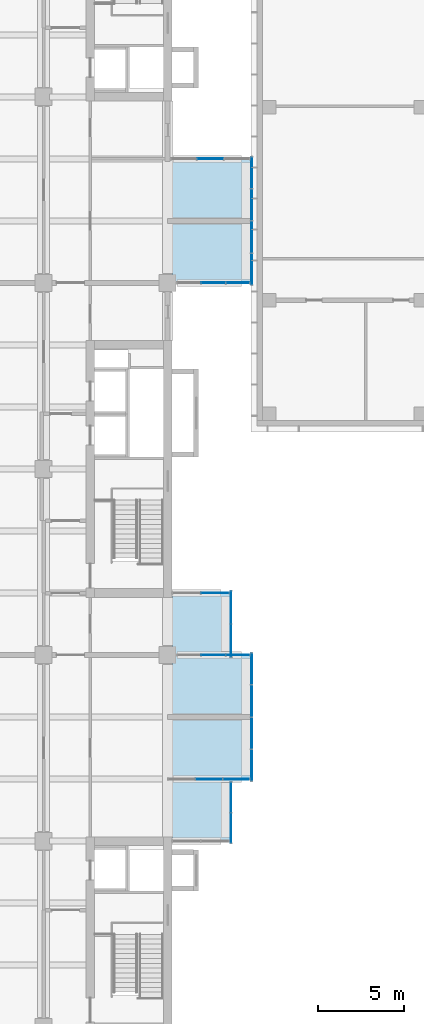
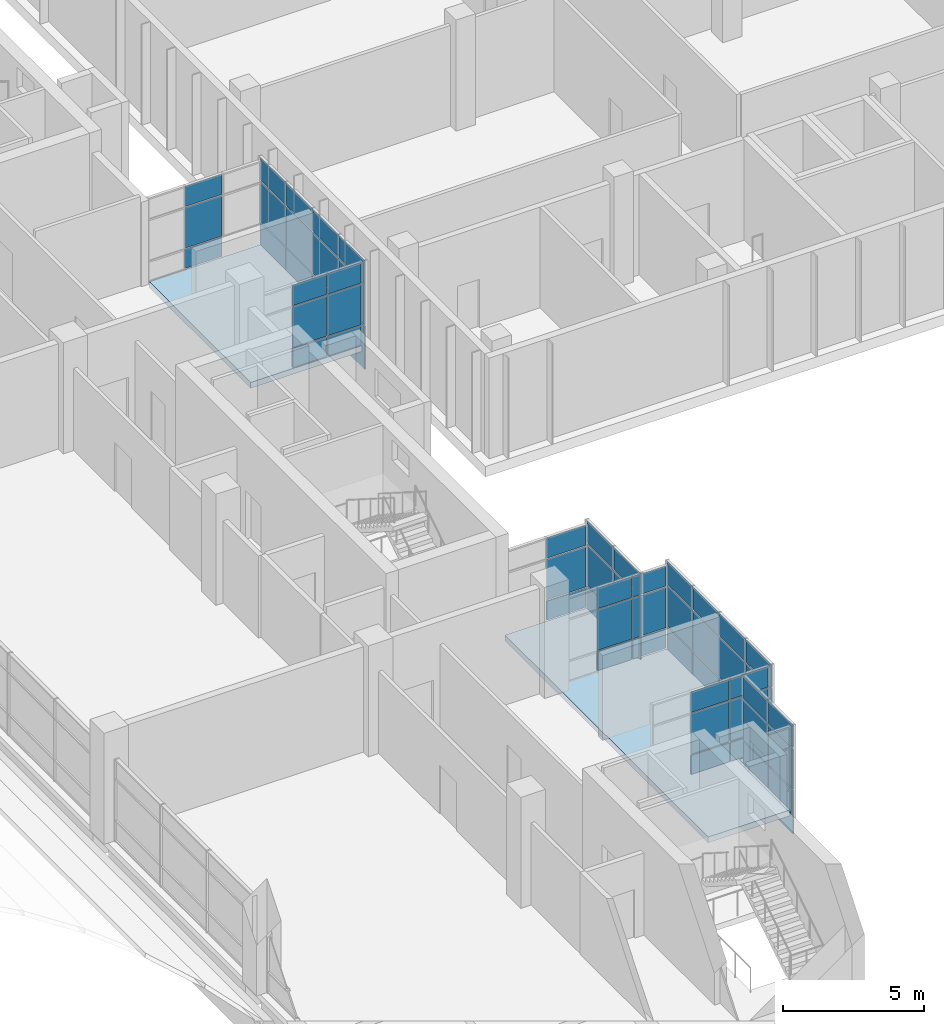
# One storey, part 28 of 45: 60 plates, 2 slabs, 9 elements without a shape of their own.
"""IFC4 building model written with IfcOpenShell, lengths in metres."""

import ifcopenshell
import ifcopenshell.guid

model = None  # the IFC model being written
_history = None  # IfcOwnerHistory: only IFC2X3 demands one
_inside = {}  # id of a spatial element -> (the spatial element, [elements in it])
_under = {}  # id of a project, library or spatial element -> (it, [spatial elements below it])
_declared = {}  # id of a project -> (the project, [libraries it declares])
_typed = {}  # id of a type object -> (the type object, [elements of that type])
_made_of = {}  # id of a material, layer set ... -> (it, [elements and type objects made of it])


def new_model(schema):
    """Start an empty IFC model of exactly this schema.

    Asked for "IFC4X3", IfcOpenShell would pick the latest addendum, in which some entities
    have other attributes; the version numbers below select the first issue.
    IFC2X3 requires an IfcOwnerHistory on every rooted entity: one is made here for all.
    """
    global model, _history
    if schema == "IFC4X3":
        model = ifcopenshell.file(schema_version=(4, 3, 0, 0))
    else:
        model = ifcopenshell.file(schema=schema)
    _inside.clear()
    _under.clear()
    _declared.clear()
    _typed.clear()
    _made_of.clear()
    _history = None
    if model.schema == "IFC2X3":
        org = make("IfcOrganization", Name="unknown")
        user = make(
            "IfcPersonAndOrganization",
            ThePerson=make("IfcPerson", FamilyName="unknown"),
            TheOrganization=org,
        )
        app = make(
            "IfcApplication",
            ApplicationDeveloper=org,
            Version="unknown",
            ApplicationFullName="unknown",
            ApplicationIdentifier="unknown",
        )
        _history = make(
            "IfcOwnerHistory",
            OwningUser=user,
            OwningApplication=app,
            ChangeAction="ADDED",
            CreationDate=0,
        )
    return model


def make(cls, **values):
    """One entity of the class cls with the attributes given. An attribute that is None is left unset."""
    return model.create_entity(
        cls, **{name: value for name, value in values.items() if value is not None}
    )


def rooted(cls, **values):
    """An entity with a GlobalId (a new one), such as an element, a storey or a relation."""
    return make(cls, GlobalId=ifcopenshell.guid.new(), OwnerHistory=_history, **values)


def si_unit(unit_type, name, prefix=None):
    """IfcSIUnit, for example si_unit("LENGTHUNIT", "METRE", prefix="MILLI")."""
    return make("IfcSIUnit", UnitType=unit_type, Prefix=prefix, Name=name)


def assignment(units):
    """IfcUnitAssignment: the units of a project."""
    return None if units is None else make("IfcUnitAssignment", Units=units)


def point(xyz):
    """IfcCartesianPoint."""
    return None if xyz is None else make("IfcCartesianPoint", Coordinates=xyz)


def direction(xyz):
    """IfcDirection."""
    return None if xyz is None else make("IfcDirection", DirectionRatios=xyz)


def frame(location, z_axis=None, x_axis=None):
    """IfcAxis2Placement3D, a coordinate frame: its origin and axes. An axis left out is left unset."""
    return make(
        "IfcAxis2Placement3D",
        Location=point(location),
        Axis=direction(z_axis),
        RefDirection=direction(x_axis),
    )


def frame_2d(location, x_axis=None):
    """IfcAxis2Placement2D, a coordinate frame in the plane: its origin and x axis."""
    return make(
        "IfcAxis2Placement2D", Location=point(location), RefDirection=direction(x_axis)
    )


def origin():
    """The frame at (0, 0, 0) with its axes left unset."""
    return frame((0.0, 0.0, 0.0))


def origin_2d():
    """The frame at (0, 0) in the plane with its x axis left unset."""
    return frame_2d((0.0, 0.0))


def place(relative_to, where):
    """IfcLocalPlacement: puts the frame where relative to a parent placement (None: the world)."""
    return make(
        "IfcLocalPlacement", PlacementRelTo=relative_to, RelativePlacement=where
    )


def context(
    kind, dimensions, precision=None, world=None, true_north=None, identifier=None
):
    """IfcGeometricRepresentationContext, for example the 3D "Model" context."""
    return make(
        "IfcGeometricRepresentationContext",
        ContextIdentifier=identifier,
        ContextType=kind,
        CoordinateSpaceDimension=dimensions,
        Precision=precision,
        WorldCoordinateSystem=world,
        TrueNorth=true_north,
    )


def subcontext(parent, identifier, kind, view, scale=None):
    """IfcGeometricRepresentationSubContext, for example "Body" below "Model"."""
    return make(
        "IfcGeometricRepresentationSubContext",
        ContextIdentifier=identifier,
        ContextType=kind,
        ParentContext=parent,
        TargetScale=scale,
        TargetView=view,
    )


def project(units=None, contexts=None):
    """IfcProject with its units and contexts."""
    return rooted(
        "IfcProject",
        Name="project",
        RepresentationContexts=contexts,
        UnitsInContext=assignment(units),
    )


def spatial(cls, under=None, at=None, **own):
    """A site, building, storey or space (cls), placed at a placement, below another one or the project."""
    s = rooted(cls, ObjectPlacement=at, **own)
    if under is not None:
        _under.setdefault(under.id(), (under, []))[1].append(s)
    return s


def polyline(points):
    """IfcPolyline through the points."""
    return make("IfcPolyline", Points=[point(p) for p in points])


def profile(cls, at=None, kind="AREA", **sizes):
    """A parametric profile (cls). Its sizes go by their IFC names, for example OverallWidth=200.0."""
    return make(cls, ProfileType=kind, Position=at, **sizes)


def rectangle(**sizes):
    """IfcRectangleProfileDef."""
    return profile("IfcRectangleProfileDef", **sizes)


def outline(outer, holes=None, kind="AREA"):
    """IfcArbitraryClosedProfileDef: a profile drawn as a closed curve; with holes, ...WithVoids."""
    if holes is None:
        return make("IfcArbitraryClosedProfileDef", ProfileType=kind, OuterCurve=outer)
    return make(
        "IfcArbitraryProfileDefWithVoids",
        ProfileType=kind,
        OuterCurve=outer,
        InnerCurves=holes,
    )


def extrude(swept, where, along, depth):
    """IfcExtrudedAreaSolid: the profile swept, set in the frame where, extruded along a direction by depth."""
    return make(
        "IfcExtrudedAreaSolid",
        SweptArea=swept,
        Position=where,
        ExtrudedDirection=direction(along),
        Depth=depth,
    )


def shape(context_of_items, identifier, shape_type, items):
    """IfcShapeRepresentation: the items that make up one representation, for example the "Body"."""
    return make(
        "IfcShapeRepresentation",
        ContextOfItems=context_of_items,
        RepresentationIdentifier=identifier,
        RepresentationType=shape_type,
        Items=items,
    )


def material(Name=None, Category=None):
    """IfcMaterial."""
    return make("IfcMaterial", Name=Name, Category=Category)


def layer(
    of_material, thickness, ventilated=None, Name=None, Category=None, Priority=None
):
    """IfcMaterialLayer: one layer of a wall or slab, of a material (None: an air gap)."""
    return make(
        "IfcMaterialLayer",
        Material=of_material,
        LayerThickness=thickness,
        IsVentilated=ventilated,
        Name=Name,
        Category=Category,
        Priority=Priority,
    )


def layer_set(layers, Name=None):
    """IfcMaterialLayerSet."""
    return make("IfcMaterialLayerSet", MaterialLayers=layers, LayerSetName=Name)


def made_of(thing, what):
    """Note that an element or type object is made of a material, layer set ...; save() writes the relation."""
    if what is not None:
        _made_of.setdefault(what.id(), (what, []))[1].append(thing)
    return thing


def type_object(cls, material=None, **own):
    """A type object (cls), such as IfcWallType, which elements share."""
    return made_of(rooted(cls, **own), material)


def element(
    cls,
    number,
    at=None,
    inside=None,
    cuts=None,
    type_object=None,
    material=None,
    context=None,
    identifier="Body",
    shape_type=None,
    held_by="IfcProductDefinitionShape",
    body=None,
    shapes=None,
    **own,
):
    """One element of the class cls, such as IfcWall. Its Tag is "e" and its number.

    at: its placement. inside: the storey or other place that contains it. cuts: it is an
    opening in that element (IfcRelVoidsElement). A single representation is given by context,
    identifier, shape_type and body (its items); several are given by shapes. held_by: the class
    of the entity that holds the representations. save() writes the other relations.
    """
    e = rooted(cls, Tag="e%d" % number, ObjectPlacement=at, **own)
    if body is not None:
        shapes = [shape(context, identifier, shape_type, body)]
    if shapes is not None:
        e.Representation = make(held_by, Representations=shapes)
    if inside is not None:
        _inside.setdefault(inside.id(), (inside, []))[1].append(e)
    if cuts is not None:
        rooted(
            "IfcRelVoidsElement", RelatingBuildingElement=cuts, RelatedOpeningElement=e
        )
    if type_object is not None:
        _typed.setdefault(type_object.id(), (type_object, []))[1].append(e)
    return made_of(e, material)


def aggregate(whole, parts):
    """IfcRelAggregates: a whole, such as a stair, and the parts it consists of."""
    return rooted("IfcRelAggregates", RelatingObject=whole, RelatedObjects=parts)


def save(model, path):
    """Write the relations noted so far, then the file.

    IfcRelAggregates (storeys below a building ...), IfcRelContainedInSpatialStructure (elements
    in a storey), IfcRelDefinesByType, IfcRelAssociatesMaterial and IfcRelDeclares: one each for
    every whole, place, type object, material and project.
    """
    for whole, parts in _under.values():
        aggregate(whole, parts)
    for where, things in _inside.values():
        rooted(
            "IfcRelContainedInSpatialStructure",
            RelatedElements=things,
            RelatingStructure=where,
        )
    for kind, things in _typed.values():
        rooted("IfcRelDefinesByType", RelatedObjects=things, RelatingType=kind)
    for what, things in _made_of.values():
        rooted("IfcRelAssociatesMaterial", RelatedObjects=things, RelatingMaterial=what)
    for by, libraries in _declared.values():
        rooted("IfcRelDeclares", RelatingContext=by, RelatedDefinitions=libraries)
    model.write(path)


model = new_model("IFC4")

# Units and contexts
model_context = context("Model", 3, precision=1e-05, world=origin(), true_north=direction((0.0, 1.0)))
body_context = subcontext(model_context, "Body", "Model", "MODEL_VIEW")
ifc_project = project(units=[si_unit("LENGTHUNIT", "METRE"), si_unit("AREAUNIT", "SQUARE_METRE"), si_unit("VOLUMEUNIT", "CUBIC_METRE"), si_unit("PLANEANGLEUNIT", "RADIAN"), si_unit("MASSUNIT", "GRAM", prefix="KILO")], contexts=[model_context])

# Site, building, storey
site_placement = place(None, origin())
site = spatial("IfcSite", under=ifc_project, at=site_placement, CompositionType="ELEMENT")
building_placement = place(site_placement, origin())
building = spatial("IfcBuilding", under=site, at=building_placement, Name="Basin Gate Institute", CompositionType="ELEMENT")
storey_placement = place(building_placement, frame((0.0, 0.0, 22.199951171875)))
storey = spatial("IfcBuildingStorey", under=building, at=storey_placement, Name="L04", CompositionType="ELEMENT", Elevation=22.199951171875)

# Slabs
ifc_material_1 = material(Name="Concrete 40 MPa", Category="concrete")
ifc_layer_1 = layer(ifc_material_1, 0.25)
ifc_layer_set_1 = layer_set([ifc_layer_1], Name="Concrete 40 MPa")
slab_type = type_object("IfcSlabType", Name="Slab SL4 R120", PredefinedType="FLOOR", material=ifc_layer_set_1)
slab_1_placement = place(storey_placement, frame((0.0, 0.0, -0.25)))
element("IfcSlab", 1, at=slab_1_placement, inside=storey, type_object=slab_type, material=ifc_layer_set_1, Name="SLAB/L04/EK11", PredefinedType="FLOOR", context=body_context, shape_type="SweptSolid", body=[
    extrude(outline(polyline([(119.050048828125, 45.89990234375), (119.050048828125, 60.300048828125), (122.39990234375, 60.300048828125), (122.39990234375, 56.699951171875), (123.60009765625, 56.699951171875), (123.60009765625, 49.5), (122.39990234375, 49.5), (122.39990234375, 45.89990234375), (119.050048828125, 45.89990234375)])), origin(), (0.0, 0.0, 1.0), 0.25),
])
slab_2_placement = place(storey_placement, frame((0.0, 0.0, -0.25)))
element("IfcSlab", 2, at=slab_2_placement, inside=storey, type_object=slab_type, material=ifc_layer_set_1, Name="SLAB/L04/EK22", PredefinedType="FLOOR", context=body_context, shape_type="SweptSolid", body=[
    extrude(outline(polyline([(123.60009765625, 78.300048828125), (119.050048828125, 78.300048828125), (119.050048828125, 85.5), (123.60009765625, 85.5), (123.60009765625, 78.300048828125)])), origin(), (0.0, 0.0, 1.0), 0.25),
])

# Curtain wall, plates
ifc_material_2 = material(Name="Aluminium-framed glazing", Category="aluminium")
ifc_layer_2 = layer(ifc_material_2, 0.14990234375)
ifc_layer_set_2 = layer_set([ifc_layer_2], Name="Capsule front curtain wall CW1")
curtain_wall_type = type_object("IfcCurtainWallType", Name="Capsule front curtain wall CW1", PredefinedType="NOTDEFINED", material=ifc_layer_set_2)
curtain_wall_1_placement = place(storey_placement, origin())
curtain_wall_1 = element("IfcCurtainWall", 3, at=curtain_wall_1_placement, inside=storey, type_object=curtain_wall_type, material=ifc_layer_set_2, Name="Capsule front curtain wall E wing capsule end L04 line 5", PredefinedType="NOTDEFINED")
ifc_material_3 = material(Name="Aluminium insulated spandrel panel", Category="aluminium")
ifc_layer_3 = layer(ifc_material_3, 0.050048828125)
ifc_layer_set_3 = layer_set([ifc_layer_3], Name="Spandrel panel PN2")
plate_type_1 = type_object("IfcPlateType", Name="Spandrel panel PN2", PredefinedType="CURTAIN_PANEL", material=ifc_layer_set_3)
plate_1_placement = place(storey_placement, frame((122.78759765625, 49.5, 0.06005859375), z_axis=(0.0, 0.0, 1.0), x_axis=(-1.0, 0.0, 0.0)))
plate_1 = element("IfcPlate", 4, at=plate_1_placement, type_object=plate_type_1, material=ifc_layer_set_3, Name="CW1 spandrel panel 1.1", PredefinedType="CURTAIN_PANEL", context=body_context, shape_type="SweptSolid", body=[
    extrude(rectangle(XDim=1.52490234375, YDim=0.050048828125, at=origin_2d()), origin(), (0.0, 0.0, 1.0), 0.81005859375),
])
plate_2_placement = place(storey_placement, frame((121.199951171875, 49.5, 0.06005859375), z_axis=(0.0, 0.0, 1.0), x_axis=(-1.0, 0.0, 0.0)))
plate_2 = element("IfcPlate", 5, at=plate_2_placement, type_object=plate_type_1, material=ifc_layer_set_3, Name="CW1 spandrel panel 2.1", PredefinedType="CURTAIN_PANEL", context=body_context, shape_type="SweptSolid", body=[
    extrude(rectangle(XDim=1.550048828125, YDim=0.050048828125, at=origin_2d()), origin(), (0.0, 0.0, 1.0), 0.81005859375),
])

curtain_wall_2_placement = place(storey_placement, origin())
curtain_wall_2 = element("IfcCurtainWall", 6, at=curtain_wall_2_placement, inside=storey, type_object=curtain_wall_type, material=ifc_layer_set_2, Name="Capsule front curtain wall E wing capsule end L04 line 7", PredefinedType="NOTDEFINED")
plate_3_placement = place(storey_placement, frame((122.870849609375, 56.699951171875, 0.06005859375), z_axis=(0.0, 0.0, 1.0), x_axis=(-1.0, 0.0, 0.0)))
plate_3 = element("IfcPlate", 7, at=plate_3_placement, type_object=plate_type_1, material=ifc_layer_set_3, Name="CW1 spandrel panel 1.1", PredefinedType="CURTAIN_PANEL", context=body_context, shape_type="SweptSolid", body=[
    extrude(rectangle(XDim=1.3583984375, YDim=0.050048828125, at=origin_2d()), origin(), (0.0, 0.0, 1.0), 0.81005859375),
])
plate_4_placement = place(storey_placement, frame((121.449951171875, 56.699951171875, 0.06005859375), z_axis=(0.0, 0.0, 1.0), x_axis=(-1.0, 0.0, 0.0)))
plate_4 = element("IfcPlate", 8, at=plate_4_placement, type_object=plate_type_1, material=ifc_layer_set_3, Name="CW1 spandrel panel 2.1", PredefinedType="CURTAIN_PANEL", context=body_context, shape_type="SweptSolid", body=[
    extrude(rectangle(XDim=1.38330078125, YDim=0.050048828125, at=origin_2d()), origin(), (0.0, 0.0, 1.0), 0.81005859375),
])

# Curtain wall, plate
curtain_wall_3_placement = place(storey_placement, origin())
curtain_wall_3 = element("IfcCurtainWall", 9, at=curtain_wall_3_placement, inside=storey, type_object=curtain_wall_type, material=ifc_layer_set_2, Name="Capsule front curtain wall E wing capsule end L04 line 8", PredefinedType="NOTDEFINED")
plate_5_placement = place(storey_placement, frame((121.550048828125, 60.300048828125, 0.06005859375), z_axis=(0.0, 0.0, 1.0), x_axis=(-1.0, 0.0, 0.0)))
plate_5 = element("IfcPlate", 10, at=plate_5_placement, type_object=plate_type_1, material=ifc_layer_set_3, Name="CW1 spandrel panel 1.1", PredefinedType="CURTAIN_PANEL", context=body_context, shape_type="SweptSolid", body=[
    extrude(rectangle(XDim=1.60009765625, YDim=0.050048828125, at=origin_2d()), origin(), (0.0, 0.0, 1.0), 0.81005859375),
])

# Curtain wall, plates
curtain_wall_4_placement = place(storey_placement, origin())
curtain_wall_4 = element("IfcCurtainWall", 11, at=curtain_wall_4_placement, inside=storey, type_object=curtain_wall_type, material=ifc_layer_set_2, Name="Capsule front curtain wall E wing capsule end L04 line 13", PredefinedType="NOTDEFINED")
plate_6_placement = place(storey_placement, frame((122.870849609375, 78.300048828125, 0.06005859375), z_axis=(0.0, 0.0, 1.0), x_axis=(-1.0, 0.0, 0.0)))
plate_6 = element("IfcPlate", 12, at=plate_6_placement, type_object=plate_type_1, material=ifc_layer_set_3, Name="CW1 spandrel panel 1.1", PredefinedType="CURTAIN_PANEL", context=body_context, shape_type="SweptSolid", body=[
    extrude(rectangle(XDim=1.3583984375, YDim=0.050048828125, at=origin_2d()), origin(), (0.0, 0.0, 1.0), 0.81005859375),
])
plate_7_placement = place(storey_placement, frame((121.449951171875, 78.300048828125, 0.06005859375), z_axis=(0.0, 0.0, 1.0), x_axis=(-1.0, 0.0, 0.0)))
plate_7 = element("IfcPlate", 13, at=plate_7_placement, type_object=plate_type_1, material=ifc_layer_set_3, Name="CW1 spandrel panel 2.1", PredefinedType="CURTAIN_PANEL", context=body_context, shape_type="SweptSolid", body=[
    extrude(rectangle(XDim=1.38330078125, YDim=0.050048828125, at=origin_2d()), origin(), (0.0, 0.0, 1.0), 0.81005859375),
])

# Curtain wall, plate
curtain_wall_5_placement = place(storey_placement, origin())
curtain_wall_5 = element("IfcCurtainWall", 14, at=curtain_wall_5_placement, inside=storey, type_object=curtain_wall_type, material=ifc_layer_set_2, Name="Capsule front curtain wall E wing capsule end L04 line 15", PredefinedType="NOTDEFINED")
plate_8_placement = place(storey_placement, frame((121.27490234375, 85.5, 0.06005859375), z_axis=(0.0, 0.0, 1.0), x_axis=(-1.0, 0.0, 0.0)))
plate_8 = element("IfcPlate", 15, at=plate_8_placement, type_object=plate_type_1, material=ifc_layer_set_3, Name="CW1 spandrel panel 2.1", PredefinedType="CURTAIN_PANEL", context=body_context, shape_type="SweptSolid", body=[
    extrude(rectangle(XDim=1.5, YDim=0.050048828125, at=origin_2d()), origin(), (0.0, 0.0, 1.0), 0.81005859375),
])

# Curtain wall, plates
curtain_wall_6_placement = place(storey_placement, origin())
curtain_wall_6 = element("IfcCurtainWall", 16, at=curtain_wall_6_placement, inside=storey, type_object=curtain_wall_type, material=ifc_layer_set_2, Name="Capsule front curtain wall E wing capsule 1 L04 front 1", PredefinedType="NOTDEFINED")
plate_9_placement = place(storey_placement, frame((122.47509765625, 46.66259765625, -0.990234375), z_axis=(0.0, 0.0, 1.0), x_axis=(0.0, 1.0, 0.0)))
plate_9 = element("IfcPlate", 17, at=plate_9_placement, type_object=plate_type_1, material=ifc_layer_set_3, Name="CW1 spandrel panel 1.1", PredefinedType="CURTAIN_PANEL", context=body_context, shape_type="SweptSolid", body=[
    extrude(rectangle(XDim=1.72509765625, YDim=0.050048828125, at=origin_2d()), origin(), (0.0, 0.0, 1.0), 1.860107421875),
])
plate_10_placement = place(storey_placement, frame((122.47509765625, 48.4375, -0.990234375), z_axis=(0.0, 0.0, 1.0), x_axis=(0.0, 1.0, 0.0)))
plate_10 = element("IfcPlate", 18, at=plate_10_placement, type_object=plate_type_1, material=ifc_layer_set_3, Name="CW1 spandrel panel 2.1", PredefinedType="CURTAIN_PANEL", context=body_context, shape_type="SweptSolid", body=[
    extrude(rectangle(XDim=1.72509765625, YDim=0.050048828125, at=origin_2d()), origin(), (0.0, 0.0, 1.0), 1.860107421875),
])

curtain_wall_7_placement = place(storey_placement, origin())
curtain_wall_7 = element("IfcCurtainWall", 19, at=curtain_wall_7_placement, inside=storey, type_object=curtain_wall_type, material=ifc_layer_set_2, Name="Capsule front curtain wall E wing capsule 1 L04 front 2", PredefinedType="NOTDEFINED")
plate_11_placement = place(storey_placement, frame((123.675048828125, 50.300048828125, -0.990234375), z_axis=(0.0, 0.0, 1.0), x_axis=(0.0, 1.0, 0.0)))
plate_11 = element("IfcPlate", 20, at=plate_11_placement, type_object=plate_type_1, material=ifc_layer_set_3, Name="CW1 spandrel panel 1.1", PredefinedType="CURTAIN_PANEL", context=body_context, shape_type="SweptSolid", body=[
    extrude(rectangle(XDim=1.800048828125, YDim=0.050048828125, at=origin_2d()), origin(), (0.0, 0.0, 1.0), 1.860107421875),
])
plate_12_placement = place(storey_placement, frame((123.675048828125, 52.16259765625, -0.990234375), z_axis=(0.0, 0.0, 1.0), x_axis=(0.0, 1.0, 0.0)))
plate_12 = element("IfcPlate", 21, at=plate_12_placement, type_object=plate_type_1, material=ifc_layer_set_3, Name="CW1 spandrel panel 2.1", PredefinedType="CURTAIN_PANEL", context=body_context, shape_type="SweptSolid", body=[
    extrude(rectangle(XDim=1.824951171875, YDim=0.050048828125, at=origin_2d()), origin(), (0.0, 0.0, 1.0), 1.860107421875),
])
plate_13_placement = place(storey_placement, frame((123.675048828125, 54.03759765625, -0.990234375), z_axis=(0.0, 0.0, 1.0), x_axis=(0.0, 1.0, 0.0)))
plate_13 = element("IfcPlate", 22, at=plate_13_placement, type_object=plate_type_1, material=ifc_layer_set_3, Name="CW1 spandrel panel 3.1", PredefinedType="CURTAIN_PANEL", context=body_context, shape_type="SweptSolid", body=[
    extrude(rectangle(XDim=1.824951171875, YDim=0.050048828125, at=origin_2d()), origin(), (0.0, 0.0, 1.0), 1.860107421875),
])
plate_14_placement = place(storey_placement, frame((123.675048828125, 55.89990234375, -0.990234375), z_axis=(0.0, 0.0, 1.0), x_axis=(0.0, 1.0, 0.0)))
plate_14 = element("IfcPlate", 23, at=plate_14_placement, type_object=plate_type_1, material=ifc_layer_set_3, Name="CW1 spandrel panel 4.1", PredefinedType="CURTAIN_PANEL", context=body_context, shape_type="SweptSolid", body=[
    extrude(rectangle(XDim=1.800048828125, YDim=0.050048828125, at=origin_2d()), origin(), (0.0, 0.0, 1.0), 1.860107421875),
])

curtain_wall_8_placement = place(storey_placement, origin())
curtain_wall_8 = element("IfcCurtainWall", 24, at=curtain_wall_8_placement, inside=storey, type_object=curtain_wall_type, material=ifc_layer_set_2, Name="Capsule front curtain wall E wing capsule 1 L04 front 4", PredefinedType="NOTDEFINED")
plate_15_placement = place(storey_placement, frame((122.47509765625, 57.53759765625, -0.990234375), z_axis=(0.0, 0.0, 1.0), x_axis=(0.0, 1.0, 0.0)))
plate_15 = element("IfcPlate", 25, at=plate_15_placement, type_object=plate_type_1, material=ifc_layer_set_3, Name="CW1 spandrel panel 1.1", PredefinedType="CURTAIN_PANEL", context=body_context, shape_type="SweptSolid", body=[
    extrude(rectangle(XDim=1.875, YDim=0.050048828125, at=origin_2d()), origin(), (0.0, 0.0, 1.0), 1.860107421875),
])
plate_16_placement = place(storey_placement, frame((122.47509765625, 59.46240234375, -0.990234375), z_axis=(0.0, 0.0, 1.0), x_axis=(0.0, 1.0, 0.0)))
plate_16 = element("IfcPlate", 26, at=plate_16_placement, type_object=plate_type_1, material=ifc_layer_set_3, Name="CW1 spandrel panel 2.1", PredefinedType="CURTAIN_PANEL", context=body_context, shape_type="SweptSolid", body=[
    extrude(rectangle(XDim=1.875, YDim=0.050048828125, at=origin_2d()), origin(), (0.0, 0.0, 1.0), 1.860107421875),
])

curtain_wall_9_placement = place(storey_placement, origin())
curtain_wall_9 = element("IfcCurtainWall", 27, at=curtain_wall_9_placement, inside=storey, type_object=curtain_wall_type, material=ifc_layer_set_2, Name="Capsule front curtain wall E wing capsule 2 L04 front 2", PredefinedType="NOTDEFINED")
plate_17_placement = place(storey_placement, frame((123.675048828125, 79.10009765625, -0.990234375), z_axis=(0.0, 0.0, 1.0), x_axis=(0.0, 1.0, 0.0)))
plate_17 = element("IfcPlate", 28, at=plate_17_placement, type_object=plate_type_1, material=ifc_layer_set_3, Name="CW1 spandrel panel 1.1", PredefinedType="CURTAIN_PANEL", context=body_context, shape_type="SweptSolid", body=[
    extrude(rectangle(XDim=1.800048828125, YDim=0.050048828125, at=origin_2d()), origin(), (0.0, 0.0, 1.0), 1.860107421875),
])
plate_18_placement = place(storey_placement, frame((123.675048828125, 80.96240234375, -0.990234375), z_axis=(0.0, 0.0, 1.0), x_axis=(0.0, 1.0, 0.0)))
plate_18 = element("IfcPlate", 29, at=plate_18_placement, type_object=plate_type_1, material=ifc_layer_set_3, Name="CW1 spandrel panel 2.1", PredefinedType="CURTAIN_PANEL", context=body_context, shape_type="SweptSolid", body=[
    extrude(rectangle(XDim=1.824951171875, YDim=0.050048828125, at=origin_2d()), origin(), (0.0, 0.0, 1.0), 1.860107421875),
])
plate_19_placement = place(storey_placement, frame((123.675048828125, 82.83740234375, -0.990234375), z_axis=(0.0, 0.0, 1.0), x_axis=(0.0, 1.0, 0.0)))
plate_19 = element("IfcPlate", 30, at=plate_19_placement, type_object=plate_type_1, material=ifc_layer_set_3, Name="CW1 spandrel panel 3.1", PredefinedType="CURTAIN_PANEL", context=body_context, shape_type="SweptSolid", body=[
    extrude(rectangle(XDim=1.824951171875, YDim=0.050048828125, at=origin_2d()), origin(), (0.0, 0.0, 1.0), 1.860107421875),
])
plate_20_placement = place(storey_placement, frame((123.675048828125, 84.699951171875, -0.990234375), z_axis=(0.0, 0.0, 1.0), x_axis=(0.0, 1.0, 0.0)))
plate_20 = element("IfcPlate", 31, at=plate_20_placement, type_object=plate_type_1, material=ifc_layer_set_3, Name="CW1 spandrel panel 4.1", PredefinedType="CURTAIN_PANEL", context=body_context, shape_type="SweptSolid", body=[
    extrude(rectangle(XDim=1.800048828125, YDim=0.050048828125, at=origin_2d()), origin(), (0.0, 0.0, 1.0), 1.860107421875),
])

# Plate
ifc_material_4 = material(Name="Double glazed unit")
ifc_layer_4 = layer(ifc_material_4, 0.028076171875)
ifc_layer_set_4 = layer_set([ifc_layer_4], Name="Vision panel PN1")
plate_type_2 = type_object("IfcPlateType", Name="Vision panel PN1", PredefinedType="CURTAIN_PANEL", material=ifc_layer_set_4)
plate_21_placement = place(storey_placement, frame((122.78759765625, 49.5, 0.93017578125), z_axis=(0.0, 0.0, 1.0), x_axis=(-1.0, 0.0, 0.0)))
plate_21 = element("IfcPlate", 32, at=plate_21_placement, type_object=plate_type_2, material=ifc_layer_set_4, Name="CW1 vision panel 1.2", PredefinedType="CURTAIN_PANEL", context=body_context, shape_type="SweptSolid", body=[
    extrude(rectangle(XDim=1.52490234375, YDim=0.028076171875, at=origin_2d()), origin(), (0.0, 0.0, 1.0), 1.739990234375),
])

plate_22_placement = place(storey_placement, frame((122.78759765625, 49.5, 2.72998046875), z_axis=(0.0, 0.0, 1.0), x_axis=(-1.0, 0.0, 0.0)))
plate_22 = element("IfcPlate", 33, at=plate_22_placement, type_object=plate_type_2, material=ifc_layer_set_4, Name="CW1 vision panel 1.3", PredefinedType="CURTAIN_PANEL", context=body_context, shape_type="SweptSolid", body=[
    extrude(rectangle(XDim=1.52490234375, YDim=0.028076171875, at=origin_2d()), origin(), (0.0, 0.0, 1.0), 0.860107421875),
])

plate_23_placement = place(storey_placement, frame((121.199951171875, 49.5, 0.93017578125), z_axis=(0.0, 0.0, 1.0), x_axis=(-1.0, 0.0, 0.0)))
plate_23 = element("IfcPlate", 34, at=plate_23_placement, type_object=plate_type_2, material=ifc_layer_set_4, Name="CW1 vision panel 2.2", PredefinedType="CURTAIN_PANEL", context=body_context, shape_type="SweptSolid", body=[
    extrude(rectangle(XDim=1.550048828125, YDim=0.028076171875, at=origin_2d()), origin(), (0.0, 0.0, 1.0), 1.739990234375),
])

plate_24_placement = place(storey_placement, frame((121.199951171875, 49.5, 2.72998046875), z_axis=(0.0, 0.0, 1.0), x_axis=(-1.0, 0.0, 0.0)))
plate_24 = element("IfcPlate", 35, at=plate_24_placement, type_object=plate_type_2, material=ifc_layer_set_4, Name="CW1 vision panel 2.3", PredefinedType="CURTAIN_PANEL", context=body_context, shape_type="SweptSolid", body=[
    extrude(rectangle(XDim=1.550048828125, YDim=0.028076171875, at=origin_2d()), origin(), (0.0, 0.0, 1.0), 0.860107421875),
])

aggregate(curtain_wall_1, [plate_1, plate_21, plate_22, plate_2, plate_23, plate_24])

plate_25_placement = place(storey_placement, frame((122.870849609375, 56.699951171875, 0.93017578125), z_axis=(0.0, 0.0, 1.0), x_axis=(-1.0, 0.0, 0.0)))
plate_25 = element("IfcPlate", 36, at=plate_25_placement, type_object=plate_type_2, material=ifc_layer_set_4, Name="CW1 vision panel 1.2", PredefinedType="CURTAIN_PANEL", context=body_context, shape_type="SweptSolid", body=[
    extrude(rectangle(XDim=1.3583984375, YDim=0.028076171875, at=origin_2d()), origin(), (0.0, 0.0, 1.0), 1.739990234375),
])

plate_26_placement = place(storey_placement, frame((122.870849609375, 56.699951171875, 2.72998046875), z_axis=(0.0, 0.0, 1.0), x_axis=(-1.0, 0.0, 0.0)))
plate_26 = element("IfcPlate", 37, at=plate_26_placement, type_object=plate_type_2, material=ifc_layer_set_4, Name="CW1 vision panel 1.3", PredefinedType="CURTAIN_PANEL", context=body_context, shape_type="SweptSolid", body=[
    extrude(rectangle(XDim=1.3583984375, YDim=0.028076171875, at=origin_2d()), origin(), (0.0, 0.0, 1.0), 0.860107421875),
])

plate_27_placement = place(storey_placement, frame((121.449951171875, 56.699951171875, 0.93017578125), z_axis=(0.0, 0.0, 1.0), x_axis=(-1.0, 0.0, 0.0)))
plate_27 = element("IfcPlate", 38, at=plate_27_placement, type_object=plate_type_2, material=ifc_layer_set_4, Name="CW1 vision panel 2.2", PredefinedType="CURTAIN_PANEL", context=body_context, shape_type="SweptSolid", body=[
    extrude(rectangle(XDim=1.38330078125, YDim=0.028076171875, at=origin_2d()), origin(), (0.0, 0.0, 1.0), 1.739990234375),
])

plate_28_placement = place(storey_placement, frame((121.449951171875, 56.699951171875, 2.72998046875), z_axis=(0.0, 0.0, 1.0), x_axis=(-1.0, 0.0, 0.0)))
plate_28 = element("IfcPlate", 39, at=plate_28_placement, type_object=plate_type_2, material=ifc_layer_set_4, Name="CW1 vision panel 2.3", PredefinedType="CURTAIN_PANEL", context=body_context, shape_type="SweptSolid", body=[
    extrude(rectangle(XDim=1.38330078125, YDim=0.028076171875, at=origin_2d()), origin(), (0.0, 0.0, 1.0), 0.860107421875),
])

aggregate(curtain_wall_2, [plate_3, plate_25, plate_26, plate_4, plate_27, plate_28])

plate_29_placement = place(storey_placement, frame((121.550048828125, 60.300048828125, 0.93017578125), z_axis=(0.0, 0.0, 1.0), x_axis=(-1.0, 0.0, 0.0)))
plate_29 = element("IfcPlate", 40, at=plate_29_placement, type_object=plate_type_2, material=ifc_layer_set_4, Name="CW1 vision panel 1.2", PredefinedType="CURTAIN_PANEL", context=body_context, shape_type="SweptSolid", body=[
    extrude(rectangle(XDim=1.60009765625, YDim=0.028076171875, at=origin_2d()), origin(), (0.0, 0.0, 1.0), 1.739990234375),
])

plate_30_placement = place(storey_placement, frame((121.550048828125, 60.300048828125, 2.72998046875), z_axis=(0.0, 0.0, 1.0), x_axis=(-1.0, 0.0, 0.0)))
plate_30 = element("IfcPlate", 41, at=plate_30_placement, type_object=plate_type_2, material=ifc_layer_set_4, Name="CW1 vision panel 1.3", PredefinedType="CURTAIN_PANEL", context=body_context, shape_type="SweptSolid", body=[
    extrude(rectangle(XDim=1.60009765625, YDim=0.028076171875, at=origin_2d()), origin(), (0.0, 0.0, 1.0), 0.860107421875),
])

aggregate(curtain_wall_3, [plate_5, plate_29, plate_30])

plate_31_placement = place(storey_placement, frame((122.870849609375, 78.300048828125, 0.93017578125), z_axis=(0.0, 0.0, 1.0), x_axis=(-1.0, 0.0, 0.0)))
plate_31 = element("IfcPlate", 42, at=plate_31_placement, type_object=plate_type_2, material=ifc_layer_set_4, Name="CW1 vision panel 1.2", PredefinedType="CURTAIN_PANEL", context=body_context, shape_type="SweptSolid", body=[
    extrude(rectangle(XDim=1.3583984375, YDim=0.028076171875, at=origin_2d()), origin(), (0.0, 0.0, 1.0), 1.739990234375),
])

plate_32_placement = place(storey_placement, frame((122.870849609375, 78.300048828125, 2.72998046875), z_axis=(0.0, 0.0, 1.0), x_axis=(-1.0, 0.0, 0.0)))
plate_32 = element("IfcPlate", 43, at=plate_32_placement, type_object=plate_type_2, material=ifc_layer_set_4, Name="CW1 vision panel 1.3", PredefinedType="CURTAIN_PANEL", context=body_context, shape_type="SweptSolid", body=[
    extrude(rectangle(XDim=1.3583984375, YDim=0.028076171875, at=origin_2d()), origin(), (0.0, 0.0, 1.0), 0.860107421875),
])

plate_33_placement = place(storey_placement, frame((121.449951171875, 78.300048828125, 0.93017578125), z_axis=(0.0, 0.0, 1.0), x_axis=(-1.0, 0.0, 0.0)))
plate_33 = element("IfcPlate", 44, at=plate_33_placement, type_object=plate_type_2, material=ifc_layer_set_4, Name="CW1 vision panel 2.2", PredefinedType="CURTAIN_PANEL", context=body_context, shape_type="SweptSolid", body=[
    extrude(rectangle(XDim=1.38330078125, YDim=0.028076171875, at=origin_2d()), origin(), (0.0, 0.0, 1.0), 1.739990234375),
])

plate_34_placement = place(storey_placement, frame((121.449951171875, 78.300048828125, 2.72998046875), z_axis=(0.0, 0.0, 1.0), x_axis=(-1.0, 0.0, 0.0)))
plate_34 = element("IfcPlate", 45, at=plate_34_placement, type_object=plate_type_2, material=ifc_layer_set_4, Name="CW1 vision panel 2.3", PredefinedType="CURTAIN_PANEL", context=body_context, shape_type="SweptSolid", body=[
    extrude(rectangle(XDim=1.38330078125, YDim=0.028076171875, at=origin_2d()), origin(), (0.0, 0.0, 1.0), 0.860107421875),
])

aggregate(curtain_wall_4, [plate_6, plate_31, plate_32, plate_7, plate_33, plate_34])

plate_35_placement = place(storey_placement, frame((121.27490234375, 85.5, 0.93017578125), z_axis=(0.0, 0.0, 1.0), x_axis=(-1.0, 0.0, 0.0)))
plate_35 = element("IfcPlate", 46, at=plate_35_placement, type_object=plate_type_2, material=ifc_layer_set_4, Name="CW1 vision panel 2.2", PredefinedType="CURTAIN_PANEL", context=body_context, shape_type="SweptSolid", body=[
    extrude(rectangle(XDim=1.5, YDim=0.028076171875, at=origin_2d()), origin(), (0.0, 0.0, 1.0), 1.739990234375),
])

plate_36_placement = place(storey_placement, frame((121.27490234375, 85.5, 2.72998046875), z_axis=(0.0, 0.0, 1.0), x_axis=(-1.0, 0.0, 0.0)))
plate_36 = element("IfcPlate", 47, at=plate_36_placement, type_object=plate_type_2, material=ifc_layer_set_4, Name="CW1 vision panel 2.3", PredefinedType="CURTAIN_PANEL", context=body_context, shape_type="SweptSolid", body=[
    extrude(rectangle(XDim=1.5, YDim=0.028076171875, at=origin_2d()), origin(), (0.0, 0.0, 1.0), 0.860107421875),
])

aggregate(curtain_wall_5, [plate_8, plate_35, plate_36])

plate_37_placement = place(storey_placement, frame((122.47509765625, 46.66259765625, 0.93017578125), z_axis=(0.0, 0.0, 1.0), x_axis=(0.0, 1.0, 0.0)))
plate_37 = element("IfcPlate", 48, at=plate_37_placement, type_object=plate_type_2, material=ifc_layer_set_4, Name="CW1 vision panel 1.2", PredefinedType="CURTAIN_PANEL", context=body_context, shape_type="SweptSolid", body=[
    extrude(rectangle(XDim=1.72509765625, YDim=0.028076171875, at=origin_2d()), origin(), (0.0, 0.0, 1.0), 1.739990234375),
])

plate_38_placement = place(storey_placement, frame((122.47509765625, 46.66259765625, 2.72998046875), z_axis=(0.0, 0.0, 1.0), x_axis=(0.0, 1.0, 0.0)))
plate_38 = element("IfcPlate", 49, at=plate_38_placement, type_object=plate_type_2, material=ifc_layer_set_4, Name="CW1 vision panel 1.3", PredefinedType="CURTAIN_PANEL", context=body_context, shape_type="SweptSolid", body=[
    extrude(rectangle(XDim=1.72509765625, YDim=0.028076171875, at=origin_2d()), origin(), (0.0, 0.0, 1.0), 0.9599609375),
])

plate_39_placement = place(storey_placement, frame((122.47509765625, 48.4375, 0.93017578125), z_axis=(0.0, 0.0, 1.0), x_axis=(0.0, 1.0, 0.0)))
plate_39 = element("IfcPlate", 50, at=plate_39_placement, type_object=plate_type_2, material=ifc_layer_set_4, Name="CW1 vision panel 2.2", PredefinedType="CURTAIN_PANEL", context=body_context, shape_type="SweptSolid", body=[
    extrude(rectangle(XDim=1.72509765625, YDim=0.028076171875, at=origin_2d()), origin(), (0.0, 0.0, 1.0), 1.739990234375),
])

plate_40_placement = place(storey_placement, frame((122.47509765625, 48.4375, 2.72998046875), z_axis=(0.0, 0.0, 1.0), x_axis=(0.0, 1.0, 0.0)))
plate_40 = element("IfcPlate", 51, at=plate_40_placement, type_object=plate_type_2, material=ifc_layer_set_4, Name="CW1 vision panel 2.3", PredefinedType="CURTAIN_PANEL", context=body_context, shape_type="SweptSolid", body=[
    extrude(rectangle(XDim=1.72509765625, YDim=0.028076171875, at=origin_2d()), origin(), (0.0, 0.0, 1.0), 0.9599609375),
])

aggregate(curtain_wall_6, [plate_9, plate_37, plate_38, plate_10, plate_39, plate_40])

plate_41_placement = place(storey_placement, frame((123.675048828125, 50.300048828125, 0.93017578125), z_axis=(0.0, 0.0, 1.0), x_axis=(0.0, 1.0, 0.0)))
plate_41 = element("IfcPlate", 52, at=plate_41_placement, type_object=plate_type_2, material=ifc_layer_set_4, Name="CW1 vision panel 1.2", PredefinedType="CURTAIN_PANEL", context=body_context, shape_type="SweptSolid", body=[
    extrude(rectangle(XDim=1.800048828125, YDim=0.028076171875, at=origin_2d()), origin(), (0.0, 0.0, 1.0), 1.739990234375),
])

plate_42_placement = place(storey_placement, frame((123.675048828125, 50.300048828125, 2.72998046875), z_axis=(0.0, 0.0, 1.0), x_axis=(0.0, 1.0, 0.0)))
plate_42 = element("IfcPlate", 53, at=plate_42_placement, type_object=plate_type_2, material=ifc_layer_set_4, Name="CW1 vision panel 1.3", PredefinedType="CURTAIN_PANEL", context=body_context, shape_type="SweptSolid", body=[
    extrude(rectangle(XDim=1.800048828125, YDim=0.028076171875, at=origin_2d()), origin(), (0.0, 0.0, 1.0), 0.9599609375),
])

plate_43_placement = place(storey_placement, frame((123.675048828125, 52.16259765625, 0.93017578125), z_axis=(0.0, 0.0, 1.0), x_axis=(0.0, 1.0, 0.0)))
plate_43 = element("IfcPlate", 54, at=plate_43_placement, type_object=plate_type_2, material=ifc_layer_set_4, Name="CW1 vision panel 2.2", PredefinedType="CURTAIN_PANEL", context=body_context, shape_type="SweptSolid", body=[
    extrude(rectangle(XDim=1.824951171875, YDim=0.028076171875, at=origin_2d()), origin(), (0.0, 0.0, 1.0), 1.739990234375),
])

plate_44_placement = place(storey_placement, frame((123.675048828125, 52.16259765625, 2.72998046875), z_axis=(0.0, 0.0, 1.0), x_axis=(0.0, 1.0, 0.0)))
plate_44 = element("IfcPlate", 55, at=plate_44_placement, type_object=plate_type_2, material=ifc_layer_set_4, Name="CW1 vision panel 2.3", PredefinedType="CURTAIN_PANEL", context=body_context, shape_type="SweptSolid", body=[
    extrude(rectangle(XDim=1.824951171875, YDim=0.028076171875, at=origin_2d()), origin(), (0.0, 0.0, 1.0), 0.9599609375),
])

plate_45_placement = place(storey_placement, frame((123.675048828125, 54.03759765625, 0.93017578125), z_axis=(0.0, 0.0, 1.0), x_axis=(0.0, 1.0, 0.0)))
plate_45 = element("IfcPlate", 56, at=plate_45_placement, type_object=plate_type_2, material=ifc_layer_set_4, Name="CW1 vision panel 3.2", PredefinedType="CURTAIN_PANEL", context=body_context, shape_type="SweptSolid", body=[
    extrude(rectangle(XDim=1.824951171875, YDim=0.028076171875, at=origin_2d()), origin(), (0.0, 0.0, 1.0), 1.739990234375),
])

plate_46_placement = place(storey_placement, frame((123.675048828125, 54.03759765625, 2.72998046875), z_axis=(0.0, 0.0, 1.0), x_axis=(0.0, 1.0, 0.0)))
plate_46 = element("IfcPlate", 57, at=plate_46_placement, type_object=plate_type_2, material=ifc_layer_set_4, Name="CW1 vision panel 3.3", PredefinedType="CURTAIN_PANEL", context=body_context, shape_type="SweptSolid", body=[
    extrude(rectangle(XDim=1.824951171875, YDim=0.028076171875, at=origin_2d()), origin(), (0.0, 0.0, 1.0), 0.9599609375),
])

plate_47_placement = place(storey_placement, frame((123.675048828125, 55.89990234375, 0.93017578125), z_axis=(0.0, 0.0, 1.0), x_axis=(0.0, 1.0, 0.0)))
plate_47 = element("IfcPlate", 58, at=plate_47_placement, type_object=plate_type_2, material=ifc_layer_set_4, Name="CW1 vision panel 4.2", PredefinedType="CURTAIN_PANEL", context=body_context, shape_type="SweptSolid", body=[
    extrude(rectangle(XDim=1.800048828125, YDim=0.028076171875, at=origin_2d()), origin(), (0.0, 0.0, 1.0), 1.739990234375),
])

plate_48_placement = place(storey_placement, frame((123.675048828125, 55.89990234375, 2.72998046875), z_axis=(0.0, 0.0, 1.0), x_axis=(0.0, 1.0, 0.0)))
plate_48 = element("IfcPlate", 59, at=plate_48_placement, type_object=plate_type_2, material=ifc_layer_set_4, Name="CW1 vision panel 4.3", PredefinedType="CURTAIN_PANEL", context=body_context, shape_type="SweptSolid", body=[
    extrude(rectangle(XDim=1.800048828125, YDim=0.028076171875, at=origin_2d()), origin(), (0.0, 0.0, 1.0), 0.9599609375),
])

aggregate(curtain_wall_7, [plate_11, plate_41, plate_42, plate_12, plate_43, plate_44, plate_13, plate_45, plate_46, plate_14, plate_47, plate_48])

plate_49_placement = place(storey_placement, frame((122.47509765625, 57.53759765625, 0.93017578125), z_axis=(0.0, 0.0, 1.0), x_axis=(0.0, 1.0, 0.0)))
plate_49 = element("IfcPlate", 60, at=plate_49_placement, type_object=plate_type_2, material=ifc_layer_set_4, Name="CW1 vision panel 1.2", PredefinedType="CURTAIN_PANEL", context=body_context, shape_type="SweptSolid", body=[
    extrude(rectangle(XDim=1.875, YDim=0.028076171875, at=origin_2d()), origin(), (0.0, 0.0, 1.0), 1.739990234375),
])

plate_50_placement = place(storey_placement, frame((122.47509765625, 57.53759765625, 2.72998046875), z_axis=(0.0, 0.0, 1.0), x_axis=(0.0, 1.0, 0.0)))
plate_50 = element("IfcPlate", 61, at=plate_50_placement, type_object=plate_type_2, material=ifc_layer_set_4, Name="CW1 vision panel 1.3", PredefinedType="CURTAIN_PANEL", context=body_context, shape_type="SweptSolid", body=[
    extrude(rectangle(XDim=1.875, YDim=0.028076171875, at=origin_2d()), origin(), (0.0, 0.0, 1.0), 0.9599609375),
])

plate_51_placement = place(storey_placement, frame((122.47509765625, 59.46240234375, 0.93017578125), z_axis=(0.0, 0.0, 1.0), x_axis=(0.0, 1.0, 0.0)))
plate_51 = element("IfcPlate", 62, at=plate_51_placement, type_object=plate_type_2, material=ifc_layer_set_4, Name="CW1 vision panel 2.2", PredefinedType="CURTAIN_PANEL", context=body_context, shape_type="SweptSolid", body=[
    extrude(rectangle(XDim=1.875, YDim=0.028076171875, at=origin_2d()), origin(), (0.0, 0.0, 1.0), 1.739990234375),
])

plate_52_placement = place(storey_placement, frame((122.47509765625, 59.46240234375, 2.72998046875), z_axis=(0.0, 0.0, 1.0), x_axis=(0.0, 1.0, 0.0)))
plate_52 = element("IfcPlate", 63, at=plate_52_placement, type_object=plate_type_2, material=ifc_layer_set_4, Name="CW1 vision panel 2.3", PredefinedType="CURTAIN_PANEL", context=body_context, shape_type="SweptSolid", body=[
    extrude(rectangle(XDim=1.875, YDim=0.028076171875, at=origin_2d()), origin(), (0.0, 0.0, 1.0), 0.9599609375),
])

aggregate(curtain_wall_8, [plate_15, plate_49, plate_50, plate_16, plate_51, plate_52])

plate_53_placement = place(storey_placement, frame((123.675048828125, 79.10009765625, 0.93017578125), z_axis=(0.0, 0.0, 1.0), x_axis=(0.0, 1.0, 0.0)))
plate_53 = element("IfcPlate", 64, at=plate_53_placement, type_object=plate_type_2, material=ifc_layer_set_4, Name="CW1 vision panel 1.2", PredefinedType="CURTAIN_PANEL", context=body_context, shape_type="SweptSolid", body=[
    extrude(rectangle(XDim=1.800048828125, YDim=0.028076171875, at=origin_2d()), origin(), (0.0, 0.0, 1.0), 1.739990234375),
])

plate_54_placement = place(storey_placement, frame((123.675048828125, 79.10009765625, 2.72998046875), z_axis=(0.0, 0.0, 1.0), x_axis=(0.0, 1.0, 0.0)))
plate_54 = element("IfcPlate", 65, at=plate_54_placement, type_object=plate_type_2, material=ifc_layer_set_4, Name="CW1 vision panel 1.3", PredefinedType="CURTAIN_PANEL", context=body_context, shape_type="SweptSolid", body=[
    extrude(rectangle(XDim=1.800048828125, YDim=0.028076171875, at=origin_2d()), origin(), (0.0, 0.0, 1.0), 0.9599609375),
])

plate_55_placement = place(storey_placement, frame((123.675048828125, 80.96240234375, 0.93017578125), z_axis=(0.0, 0.0, 1.0), x_axis=(0.0, 1.0, 0.0)))
plate_55 = element("IfcPlate", 66, at=plate_55_placement, type_object=plate_type_2, material=ifc_layer_set_4, Name="CW1 vision panel 2.2", PredefinedType="CURTAIN_PANEL", context=body_context, shape_type="SweptSolid", body=[
    extrude(rectangle(XDim=1.824951171875, YDim=0.028076171875, at=origin_2d()), origin(), (0.0, 0.0, 1.0), 1.739990234375),
])

plate_56_placement = place(storey_placement, frame((123.675048828125, 80.96240234375, 2.72998046875), z_axis=(0.0, 0.0, 1.0), x_axis=(0.0, 1.0, 0.0)))
plate_56 = element("IfcPlate", 67, at=plate_56_placement, type_object=plate_type_2, material=ifc_layer_set_4, Name="CW1 vision panel 2.3", PredefinedType="CURTAIN_PANEL", context=body_context, shape_type="SweptSolid", body=[
    extrude(rectangle(XDim=1.824951171875, YDim=0.028076171875, at=origin_2d()), origin(), (0.0, 0.0, 1.0), 0.9599609375),
])

plate_57_placement = place(storey_placement, frame((123.675048828125, 82.83740234375, 0.93017578125), z_axis=(0.0, 0.0, 1.0), x_axis=(0.0, 1.0, 0.0)))
plate_57 = element("IfcPlate", 68, at=plate_57_placement, type_object=plate_type_2, material=ifc_layer_set_4, Name="CW1 vision panel 3.2", PredefinedType="CURTAIN_PANEL", context=body_context, shape_type="SweptSolid", body=[
    extrude(rectangle(XDim=1.824951171875, YDim=0.028076171875, at=origin_2d()), origin(), (0.0, 0.0, 1.0), 1.739990234375),
])

plate_58_placement = place(storey_placement, frame((123.675048828125, 82.83740234375, 2.72998046875), z_axis=(0.0, 0.0, 1.0), x_axis=(0.0, 1.0, 0.0)))
plate_58 = element("IfcPlate", 69, at=plate_58_placement, type_object=plate_type_2, material=ifc_layer_set_4, Name="CW1 vision panel 3.3", PredefinedType="CURTAIN_PANEL", context=body_context, shape_type="SweptSolid", body=[
    extrude(rectangle(XDim=1.824951171875, YDim=0.028076171875, at=origin_2d()), origin(), (0.0, 0.0, 1.0), 0.9599609375),
])

plate_59_placement = place(storey_placement, frame((123.675048828125, 84.699951171875, 0.93017578125), z_axis=(0.0, 0.0, 1.0), x_axis=(0.0, 1.0, 0.0)))
plate_59 = element("IfcPlate", 70, at=plate_59_placement, type_object=plate_type_2, material=ifc_layer_set_4, Name="CW1 vision panel 4.2", PredefinedType="CURTAIN_PANEL", context=body_context, shape_type="SweptSolid", body=[
    extrude(rectangle(XDim=1.800048828125, YDim=0.028076171875, at=origin_2d()), origin(), (0.0, 0.0, 1.0), 1.739990234375),
])

plate_60_placement = place(storey_placement, frame((123.675048828125, 84.699951171875, 2.72998046875), z_axis=(0.0, 0.0, 1.0), x_axis=(0.0, 1.0, 0.0)))
plate_60 = element("IfcPlate", 71, at=plate_60_placement, type_object=plate_type_2, material=ifc_layer_set_4, Name="CW1 vision panel 4.3", PredefinedType="CURTAIN_PANEL", context=body_context, shape_type="SweptSolid", body=[
    extrude(rectangle(XDim=1.800048828125, YDim=0.028076171875, at=origin_2d()), origin(), (0.0, 0.0, 1.0), 0.9599609375),
])

aggregate(curtain_wall_9, [plate_17, plate_53, plate_54, plate_18, plate_55, plate_56, plate_19, plate_57, plate_58, plate_20, plate_59, plate_60])

save(model, "model.ifc")
